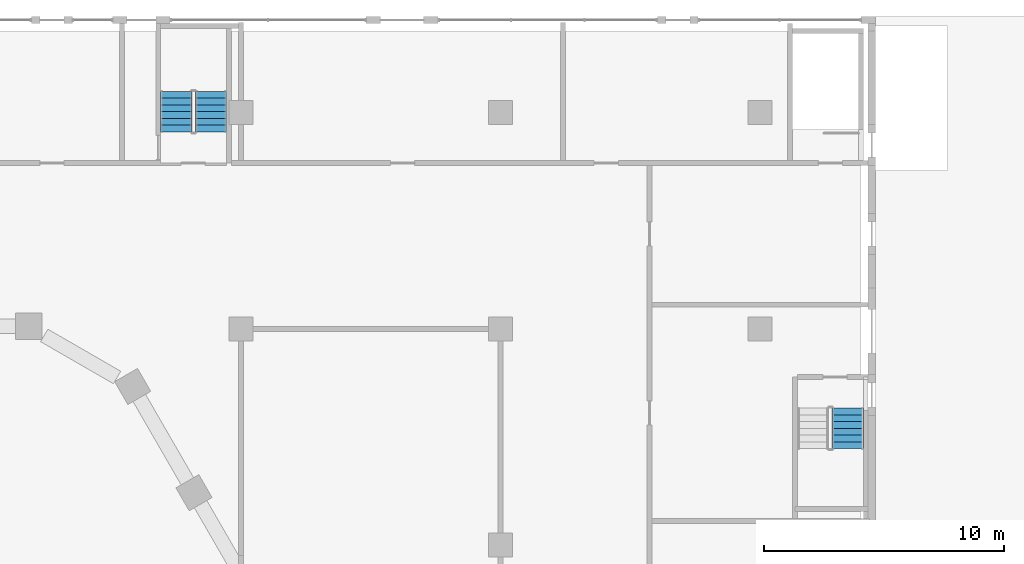
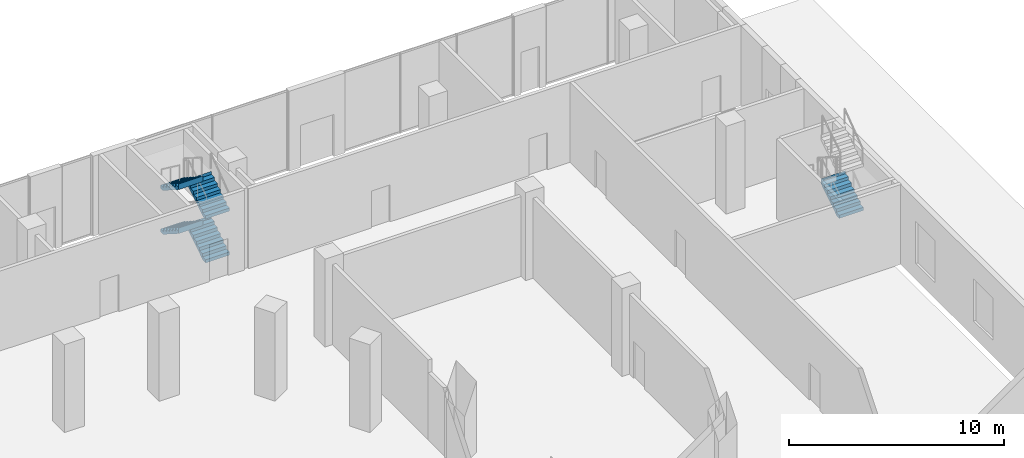
# One storey, part 46 of 57: 5 stair flights, 2 elements without a shape of their own.
"""IFC4 building model written with IfcOpenShell, lengths in metres."""

from ifc_helpers import new_model, si_unit, direction, frame, origin, place, context, subcontext, project, spatial, triangles, material, type_object, element, aggregate, save


model = new_model("IFC4")

# Units and contexts
model_context = context("Model", 3, precision=1e-05, world=origin(), true_north=direction((0.0, 1.0)))
body_context = subcontext(model_context, "Body", "Model", "MODEL_VIEW")
ifc_project = project(units=[si_unit("LENGTHUNIT", "METRE"), si_unit("AREAUNIT", "SQUARE_METRE"), si_unit("VOLUMEUNIT", "CUBIC_METRE"), si_unit("PLANEANGLEUNIT", "RADIAN"), si_unit("MASSUNIT", "GRAM", prefix="KILO")], contexts=[model_context])

# Site, building, storey
site_placement = place(None, origin())
site = spatial("IfcSite", under=ifc_project, at=site_placement, CompositionType="ELEMENT")
building_placement = place(site_placement, origin())
building = spatial("IfcBuilding", under=site, at=building_placement, Name="Beryl Residences", CompositionType="ELEMENT")
storey_placement = place(building_placement, origin())
storey = spatial("IfcBuildingStorey", under=building, at=storey_placement, Name="L00", CompositionType="ELEMENT", Elevation=0.0)

# Stair, stair flights
ifc_material_1 = material(Name="Concrete C40/50", Category="concrete")
stair_type = type_object("IfcStairType", Name="ST1 protected exit stair, half-turn, 1300 mm flights", PredefinedType="HALF_TURN_STAIR", material=ifc_material_1)
stair_1_placement = place(storey_placement, origin())
stair_1 = element("IfcStair", 1, at=stair_1_placement, inside=storey, type_object=stair_type, Name="L00 Podium exit stair 2", PredefinedType="HALF_TURN_STAIR")
ifc_material_2 = material(Name="Concrete C40/50", Category="concrete")
stair_flight_type = type_object("IfcStairFlightType", Name="SF1 stair flight 1300 mm", PredefinedType="STRAIGHT", material=ifc_material_2)
stair_flight_1_placement = place(storey_placement, frame((20.35009765625, 35.199951171875, 0.0), z_axis=(0.0, 0.0, 1.0), x_axis=(0.0, 1.0, 0.0)))
stair_flight_1 = element("IfcStairFlight", 2, at=stair_flight_1_placement, type_object=stair_flight_type, Name="PS-2 flight 1", NumberOfRisers=7, NumberOfTreads=6, PredefinedType="STRAIGHT", RiserHeight=0.178571429, TreadLength=0.28, context=body_context, shape_type="Tessellation", body=[
    triangles([(0.0, -0.64990234375, 0.0), (0.0, -0.324951171875, 0.0), (0.0, 0.0, 0.0), (0.0, 0.324951171875, 0.0), (0.0, 0.64990234375, 0.0), (0.0, -0.64990234375, 0.178466796875), (0.0, -0.324951171875, 0.178466796875), (0.0, 0.0, 0.178466796875), (0.0, 0.324951171875, 0.178466796875), (0.0, 0.64990234375, 0.178466796875), (0.280029296875, -0.64990234375, 0.178466796875), (0.280029296875, -0.324951171875, 0.178466796875), (0.280029296875, 0.0, 0.178466796875), (0.280029296875, 0.324951171875, 0.178466796875), (0.280029296875, 0.64990234375, 0.178466796875), (0.280029296875, -0.64990234375, 0.357177734375), (0.280029296875, -0.324951171875, 0.357177734375), (0.280029296875, 0.0, 0.357177734375), (0.280029296875, 0.324951171875, 0.357177734375), (0.280029296875, 0.64990234375, 0.357177734375), (0.56005859375, -0.64990234375, 0.357177734375), (0.56005859375, -0.324951171875, 0.357177734375), (0.56005859375, 0.0, 0.357177734375), (0.56005859375, 0.324951171875, 0.357177734375), (0.56005859375, 0.64990234375, 0.357177734375), (0.56005859375, -0.64990234375, 0.53564453125), (0.56005859375, -0.324951171875, 0.53564453125), (0.56005859375, 0.0, 0.53564453125), (0.56005859375, 0.324951171875, 0.53564453125), (0.56005859375, 0.64990234375, 0.53564453125), (0.840087890625, -0.64990234375, 0.53564453125), (0.840087890625, -0.324951171875, 0.53564453125), (0.840087890625, 0.0, 0.53564453125), (0.840087890625, 0.324951171875, 0.53564453125), (0.840087890625, 0.64990234375, 0.53564453125), (0.840087890625, -0.64990234375, 0.71435546875), (0.840087890625, -0.324951171875, 0.71435546875), (0.840087890625, 0.0, 0.71435546875), (0.840087890625, 0.324951171875, 0.71435546875), (0.840087890625, 0.64990234375, 0.71435546875), (1.1201171875, -0.64990234375, 0.71435546875), (1.1201171875, -0.324951171875, 0.71435546875), (1.1201171875, 0.0, 0.71435546875), (1.1201171875, 0.324951171875, 0.71435546875), (1.1201171875, 0.64990234375, 0.71435546875), (1.1201171875, -0.64990234375, 0.892822265625), (1.1201171875, -0.324951171875, 0.892822265625), (1.1201171875, 0.0, 0.892822265625), (1.1201171875, 0.324951171875, 0.892822265625), (1.1201171875, 0.64990234375, 0.892822265625), (1.39990234375, -0.64990234375, 0.892822265625), (1.39990234375, -0.324951171875, 0.892822265625), (1.39990234375, 0.0, 0.892822265625), (1.39990234375, 0.324951171875, 0.892822265625), (1.39990234375, 0.64990234375, 0.892822265625), (1.39990234375, -0.64990234375, 1.071533203125), (1.39990234375, -0.324951171875, 1.071533203125), (1.39990234375, 0.0, 1.071533203125), (1.39990234375, 0.324951171875, 1.071533203125), (1.39990234375, 0.64990234375, 1.071533203125), (1.679931640625, -0.64990234375, 1.071533203125), (1.679931640625, -0.324951171875, 1.071533203125), (1.679931640625, 0.0, 1.071533203125), (1.679931640625, 0.324951171875, 1.071533203125), (1.679931640625, 0.64990234375, 1.071533203125), (1.679931640625, -0.64990234375, 1.25), (1.679931640625, -0.324951171875, 1.25), (1.679931640625, 0.0, 1.25), (1.679931640625, 0.324951171875, 1.25), (1.679931640625, 0.64990234375, 1.25), (1.680908203125, -0.64990234375, 1.25), (1.680908203125, -0.324951171875, 1.25), (1.680908203125, 0.0, 1.25), (1.680908203125, 0.324951171875, 1.25), (1.680908203125, 0.64990234375, 1.25), (1.680908203125, -0.64990234375, 0.928955078125), (1.680908203125, -0.324951171875, 0.928955078125), (1.680908203125, 0.0, 0.928955078125), (1.680908203125, 0.324951171875, 0.928955078125), (1.680908203125, 0.64990234375, 0.928955078125), (0.224365234375, -0.64990234375, 0.0), (0.224365234375, -0.324951171875, 0.0), (0.224365234375, 0.0, 0.0), (0.224365234375, 0.324951171875, 0.0), (0.224365234375, 0.64990234375, 0.0)], [[1, 6, 7], [1, 7, 2], [2, 7, 8], [2, 8, 3], [3, 8, 9], [3, 9, 4], [4, 9, 10], [4, 10, 5], [6, 11, 12], [6, 12, 7], [7, 12, 13], [7, 13, 8], [8, 13, 14], [8, 14, 9], [9, 14, 15], [9, 15, 10], [11, 16, 17], [11, 17, 12], [12, 17, 18], [12, 18, 13], [13, 18, 19], [13, 19, 14], [14, 19, 20], [14, 20, 15], [16, 21, 22], [16, 22, 17], [17, 22, 23], [17, 23, 18], [18, 23, 24], [18, 24, 19], [19, 24, 25], [19, 25, 20], [21, 26, 27], [21, 27, 22], [22, 27, 28], [22, 28, 23], [23, 28, 29], [23, 29, 24], [24, 29, 30], [24, 30, 25], [26, 31, 32], [26, 32, 27], [27, 32, 33], [27, 33, 28], [28, 33, 34], [28, 34, 29], [29, 34, 35], [29, 35, 30], [31, 36, 37], [31, 37, 32], [32, 37, 38], [32, 38, 33], [33, 38, 39], [33, 39, 34], [34, 39, 40], [34, 40, 35], [36, 41, 42], [36, 42, 37], [37, 42, 43], [37, 43, 38], [38, 43, 44], [38, 44, 39], [39, 44, 45], [39, 45, 40], [41, 46, 47], [41, 47, 42], [42, 47, 48], [42, 48, 43], [43, 48, 49], [43, 49, 44], [44, 49, 50], [44, 50, 45], [46, 51, 52], [46, 52, 47], [47, 52, 53], [47, 53, 48], [48, 53, 54], [48, 54, 49], [49, 54, 55], [49, 55, 50], [51, 56, 57], [51, 57, 52], [52, 57, 58], [52, 58, 53], [53, 58, 59], [53, 59, 54], [54, 59, 60], [54, 60, 55], [56, 61, 62], [56, 62, 57], [57, 62, 63], [57, 63, 58], [58, 63, 64], [58, 64, 59], [59, 64, 65], [59, 65, 60], [61, 66, 67], [61, 67, 62], [62, 67, 68], [62, 68, 63], [63, 68, 69], [63, 69, 64], [64, 69, 70], [64, 70, 65], [66, 71, 72], [66, 72, 67], [67, 72, 73], [67, 73, 68], [68, 73, 74], [68, 74, 69], [69, 74, 75], [69, 75, 70], [71, 76, 77], [71, 77, 72], [72, 77, 78], [72, 78, 73], [73, 78, 79], [73, 79, 74], [74, 79, 80], [74, 80, 75], [76, 81, 82], [76, 82, 77], [77, 82, 83], [77, 83, 78], [78, 83, 84], [78, 84, 79], [79, 84, 85], [79, 85, 80], [81, 1, 2], [81, 2, 82], [82, 2, 3], [82, 3, 83], [83, 3, 4], [83, 4, 84], [84, 4, 5], [84, 5, 85], [1, 81, 76], [5, 80, 85], [76, 71, 66], [80, 70, 75], [76, 66, 61], [80, 65, 70], [76, 61, 56], [80, 60, 65], [76, 56, 51], [80, 55, 60], [51, 46, 41], [55, 45, 50], [76, 51, 41], [80, 45, 55], [41, 36, 31], [45, 35, 40], [76, 41, 31], [80, 35, 45], [31, 26, 21], [35, 25, 30], [76, 31, 21], [80, 25, 35], [21, 16, 11], [25, 15, 20], [76, 21, 11], [80, 15, 25], [1, 76, 11], [5, 15, 80], [11, 6, 1], [15, 5, 10]], closed=True),
])
stair_flight_2_placement = place(storey_placement, frame((18.89990234375, 36.8798828125, 1.25), z_axis=(0.0, 0.0, 1.0), x_axis=(0.0, -1.0, 0.0)))
stair_flight_2 = element("IfcStairFlight", 3, at=stair_flight_2_placement, type_object=stair_flight_type, Name="PS-2 flight 2", NumberOfRisers=7, NumberOfTreads=6, PredefinedType="STRAIGHT", RiserHeight=0.178571429, TreadLength=0.28, context=body_context, shape_type="Tessellation", body=[
    triangles([(0.0, -0.64990234375, 0.0), (0.0, -0.324951171875, 0.0), (0.0, 0.0, 0.0), (0.0, 0.324951171875, 0.0), (0.0, 0.64990234375, 0.0), (0.0, -0.64990234375, 0.178466796875), (0.0, -0.324951171875, 0.178466796875), (0.0, 0.0, 0.178466796875), (0.0, 0.324951171875, 0.178466796875), (0.0, 0.64990234375, 0.178466796875), (0.280029296875, -0.64990234375, 0.178466796875), (0.280029296875, -0.324951171875, 0.178466796875), (0.280029296875, 0.0, 0.178466796875), (0.280029296875, 0.324951171875, 0.178466796875), (0.280029296875, 0.64990234375, 0.178466796875), (0.280029296875, -0.64990234375, 0.357177734375), (0.280029296875, -0.324951171875, 0.357177734375), (0.280029296875, 0.0, 0.357177734375), (0.280029296875, 0.324951171875, 0.357177734375), (0.280029296875, 0.64990234375, 0.357177734375), (0.56005859375, -0.64990234375, 0.357177734375), (0.56005859375, -0.324951171875, 0.357177734375), (0.56005859375, 0.0, 0.357177734375), (0.56005859375, 0.324951171875, 0.357177734375), (0.56005859375, 0.64990234375, 0.357177734375), (0.56005859375, -0.64990234375, 0.53564453125), (0.56005859375, -0.324951171875, 0.53564453125), (0.56005859375, 0.0, 0.53564453125), (0.56005859375, 0.324951171875, 0.53564453125), (0.56005859375, 0.64990234375, 0.53564453125), (0.840087890625, -0.64990234375, 0.53564453125), (0.840087890625, -0.324951171875, 0.53564453125), (0.840087890625, 0.0, 0.53564453125), (0.840087890625, 0.324951171875, 0.53564453125), (0.840087890625, 0.64990234375, 0.53564453125), (0.840087890625, -0.64990234375, 0.71435546875), (0.840087890625, -0.324951171875, 0.71435546875), (0.840087890625, 0.0, 0.71435546875), (0.840087890625, 0.324951171875, 0.71435546875), (0.840087890625, 0.64990234375, 0.71435546875), (1.1201171875, -0.64990234375, 0.71435546875), (1.1201171875, -0.324951171875, 0.71435546875), (1.1201171875, 0.0, 0.71435546875), (1.1201171875, 0.324951171875, 0.71435546875), (1.1201171875, 0.64990234375, 0.71435546875), (1.1201171875, -0.64990234375, 0.892822265625), (1.1201171875, -0.324951171875, 0.892822265625), (1.1201171875, 0.0, 0.892822265625), (1.1201171875, 0.324951171875, 0.892822265625), (1.1201171875, 0.64990234375, 0.892822265625), (1.39990234375, -0.64990234375, 0.892822265625), (1.39990234375, -0.324951171875, 0.892822265625), (1.39990234375, 0.0, 0.892822265625), (1.39990234375, 0.324951171875, 0.892822265625), (1.39990234375, 0.64990234375, 0.892822265625), (1.39990234375, -0.64990234375, 1.071533203125), (1.39990234375, -0.324951171875, 1.071533203125), (1.39990234375, 0.0, 1.071533203125), (1.39990234375, 0.324951171875, 1.071533203125), (1.39990234375, 0.64990234375, 1.071533203125), (1.679931640625, -0.64990234375, 1.071533203125), (1.679931640625, -0.324951171875, 1.071533203125), (1.679931640625, 0.0, 1.071533203125), (1.679931640625, 0.324951171875, 1.071533203125), (1.679931640625, 0.64990234375, 1.071533203125), (1.679931640625, -0.64990234375, 1.25), (1.679931640625, -0.324951171875, 1.25), (1.679931640625, 0.0, 1.25), (1.679931640625, 0.324951171875, 1.25), (1.679931640625, 0.64990234375, 1.25), (1.680908203125, -0.64990234375, 1.25), (1.680908203125, -0.324951171875, 1.25), (1.680908203125, 0.0, 1.25), (1.680908203125, 0.324951171875, 1.25), (1.680908203125, 0.64990234375, 1.25), (1.680908203125, -0.64990234375, 0.928955078125), (1.680908203125, -0.324951171875, 0.928955078125), (1.680908203125, 0.0, 0.928955078125), (1.680908203125, 0.324951171875, 0.928955078125), (1.680908203125, 0.64990234375, 0.928955078125), (0.224365234375, -0.64990234375, 0.0), (0.224365234375, -0.324951171875, 0.0), (0.224365234375, 0.0, 0.0), (0.224365234375, 0.324951171875, 0.0), (0.224365234375, 0.64990234375, 0.0)], [[1, 6, 7], [1, 7, 2], [2, 7, 8], [2, 8, 3], [3, 8, 9], [3, 9, 4], [4, 9, 10], [4, 10, 5], [6, 11, 12], [6, 12, 7], [7, 12, 13], [7, 13, 8], [8, 13, 14], [8, 14, 9], [9, 14, 15], [9, 15, 10], [11, 16, 17], [11, 17, 12], [12, 17, 18], [12, 18, 13], [13, 18, 19], [13, 19, 14], [14, 19, 20], [14, 20, 15], [16, 21, 22], [16, 22, 17], [17, 22, 23], [17, 23, 18], [18, 23, 24], [18, 24, 19], [19, 24, 25], [19, 25, 20], [21, 26, 27], [21, 27, 22], [22, 27, 28], [22, 28, 23], [23, 28, 29], [23, 29, 24], [24, 29, 30], [24, 30, 25], [26, 31, 32], [26, 32, 27], [27, 32, 33], [27, 33, 28], [28, 33, 34], [28, 34, 29], [29, 34, 35], [29, 35, 30], [31, 36, 37], [31, 37, 32], [32, 37, 38], [32, 38, 33], [33, 38, 39], [33, 39, 34], [34, 39, 40], [34, 40, 35], [36, 41, 42], [36, 42, 37], [37, 42, 43], [37, 43, 38], [38, 43, 44], [38, 44, 39], [39, 44, 45], [39, 45, 40], [41, 46, 47], [41, 47, 42], [42, 47, 48], [42, 48, 43], [43, 48, 49], [43, 49, 44], [44, 49, 50], [44, 50, 45], [46, 51, 52], [46, 52, 47], [47, 52, 53], [47, 53, 48], [48, 53, 54], [48, 54, 49], [49, 54, 55], [49, 55, 50], [51, 56, 57], [51, 57, 52], [52, 57, 58], [52, 58, 53], [53, 58, 59], [53, 59, 54], [54, 59, 60], [54, 60, 55], [56, 61, 62], [56, 62, 57], [57, 62, 63], [57, 63, 58], [58, 63, 64], [58, 64, 59], [59, 64, 65], [59, 65, 60], [61, 66, 67], [61, 67, 62], [62, 67, 68], [62, 68, 63], [63, 68, 69], [63, 69, 64], [64, 69, 70], [64, 70, 65], [66, 71, 72], [66, 72, 67], [67, 72, 73], [67, 73, 68], [68, 73, 74], [68, 74, 69], [69, 74, 75], [69, 75, 70], [71, 76, 77], [71, 77, 72], [72, 77, 78], [72, 78, 73], [73, 78, 79], [73, 79, 74], [74, 79, 80], [74, 80, 75], [76, 81, 82], [76, 82, 77], [77, 82, 83], [77, 83, 78], [78, 83, 84], [78, 84, 79], [79, 84, 85], [79, 85, 80], [81, 1, 2], [81, 2, 82], [82, 2, 3], [82, 3, 83], [83, 3, 4], [83, 4, 84], [84, 4, 5], [84, 5, 85], [1, 81, 76], [5, 80, 85], [76, 71, 66], [80, 70, 75], [76, 66, 61], [80, 65, 70], [76, 61, 56], [80, 60, 65], [76, 56, 51], [80, 55, 60], [51, 46, 41], [55, 45, 50], [76, 51, 41], [80, 45, 55], [41, 36, 31], [45, 35, 40], [76, 41, 31], [80, 35, 45], [31, 26, 21], [35, 25, 30], [76, 31, 21], [80, 25, 35], [21, 16, 11], [25, 15, 20], [76, 21, 11], [80, 15, 25], [1, 76, 11], [5, 15, 80], [11, 6, 1], [15, 5, 10]], closed=True),
])
stair_flight_3_placement = place(storey_placement, frame((20.35009765625, 35.199951171875, 2.5), z_axis=(0.0, 0.0, 1.0), x_axis=(0.0, 1.0, 0.0)))
stair_flight_3 = element("IfcStairFlight", 4, at=stair_flight_3_placement, type_object=stair_flight_type, Name="PS-2 flight 3", NumberOfRisers=7, NumberOfTreads=6, PredefinedType="STRAIGHT", RiserHeight=0.178571429, TreadLength=0.28, context=body_context, shape_type="Tessellation", body=[
    triangles([(0.0, -0.64990234375, 0.0), (0.0, -0.324951171875, 0.0), (0.0, 0.0, 0.0), (0.0, 0.324951171875, 0.0), (0.0, 0.64990234375, 0.0), (0.0, -0.64990234375, 0.178466796875), (0.0, -0.324951171875, 0.178466796875), (0.0, 0.0, 0.178466796875), (0.0, 0.324951171875, 0.178466796875), (0.0, 0.64990234375, 0.178466796875), (0.280029296875, -0.64990234375, 0.178466796875), (0.280029296875, -0.324951171875, 0.178466796875), (0.280029296875, 0.0, 0.178466796875), (0.280029296875, 0.324951171875, 0.178466796875), (0.280029296875, 0.64990234375, 0.178466796875), (0.280029296875, -0.64990234375, 0.357177734375), (0.280029296875, -0.324951171875, 0.357177734375), (0.280029296875, 0.0, 0.357177734375), (0.280029296875, 0.324951171875, 0.357177734375), (0.280029296875, 0.64990234375, 0.357177734375), (0.56005859375, -0.64990234375, 0.357177734375), (0.56005859375, -0.324951171875, 0.357177734375), (0.56005859375, 0.0, 0.357177734375), (0.56005859375, 0.324951171875, 0.357177734375), (0.56005859375, 0.64990234375, 0.357177734375), (0.56005859375, -0.64990234375, 0.53564453125), (0.56005859375, -0.324951171875, 0.53564453125), (0.56005859375, 0.0, 0.53564453125), (0.56005859375, 0.324951171875, 0.53564453125), (0.56005859375, 0.64990234375, 0.53564453125), (0.840087890625, -0.64990234375, 0.53564453125), (0.840087890625, -0.324951171875, 0.53564453125), (0.840087890625, 0.0, 0.53564453125), (0.840087890625, 0.324951171875, 0.53564453125), (0.840087890625, 0.64990234375, 0.53564453125), (0.840087890625, -0.64990234375, 0.71435546875), (0.840087890625, -0.324951171875, 0.71435546875), (0.840087890625, 0.0, 0.71435546875), (0.840087890625, 0.324951171875, 0.71435546875), (0.840087890625, 0.64990234375, 0.71435546875), (1.1201171875, -0.64990234375, 0.71435546875), (1.1201171875, -0.324951171875, 0.71435546875), (1.1201171875, 0.0, 0.71435546875), (1.1201171875, 0.324951171875, 0.71435546875), (1.1201171875, 0.64990234375, 0.71435546875), (1.1201171875, -0.64990234375, 0.892822265625), (1.1201171875, -0.324951171875, 0.892822265625), (1.1201171875, 0.0, 0.892822265625), (1.1201171875, 0.324951171875, 0.892822265625), (1.1201171875, 0.64990234375, 0.892822265625), (1.39990234375, -0.64990234375, 0.892822265625), (1.39990234375, -0.324951171875, 0.892822265625), (1.39990234375, 0.0, 0.892822265625), (1.39990234375, 0.324951171875, 0.892822265625), (1.39990234375, 0.64990234375, 0.892822265625), (1.39990234375, -0.64990234375, 1.071533203125), (1.39990234375, -0.324951171875, 1.071533203125), (1.39990234375, 0.0, 1.071533203125), (1.39990234375, 0.324951171875, 1.071533203125), (1.39990234375, 0.64990234375, 1.071533203125), (1.679931640625, -0.64990234375, 1.071533203125), (1.679931640625, -0.324951171875, 1.071533203125), (1.679931640625, 0.0, 1.071533203125), (1.679931640625, 0.324951171875, 1.071533203125), (1.679931640625, 0.64990234375, 1.071533203125), (1.679931640625, -0.64990234375, 1.25), (1.679931640625, -0.324951171875, 1.25), (1.679931640625, 0.0, 1.25), (1.679931640625, 0.324951171875, 1.25), (1.679931640625, 0.64990234375, 1.25), (1.680908203125, -0.64990234375, 1.25), (1.680908203125, -0.324951171875, 1.25), (1.680908203125, 0.0, 1.25), (1.680908203125, 0.324951171875, 1.25), (1.680908203125, 0.64990234375, 1.25), (1.680908203125, -0.64990234375, 0.928955078125), (1.680908203125, -0.324951171875, 0.928955078125), (1.680908203125, 0.0, 0.928955078125), (1.680908203125, 0.324951171875, 0.928955078125), (1.680908203125, 0.64990234375, 0.928955078125), (0.224365234375, -0.64990234375, 0.0), (0.224365234375, -0.324951171875, 0.0), (0.224365234375, 0.0, 0.0), (0.224365234375, 0.324951171875, 0.0), (0.224365234375, 0.64990234375, 0.0)], [[1, 6, 7], [1, 7, 2], [2, 7, 8], [2, 8, 3], [3, 8, 9], [3, 9, 4], [4, 9, 10], [4, 10, 5], [6, 11, 12], [6, 12, 7], [7, 12, 13], [7, 13, 8], [8, 13, 14], [8, 14, 9], [9, 14, 15], [9, 15, 10], [11, 16, 17], [11, 17, 12], [12, 17, 18], [12, 18, 13], [13, 18, 19], [13, 19, 14], [14, 19, 20], [14, 20, 15], [16, 21, 22], [16, 22, 17], [17, 22, 23], [17, 23, 18], [18, 23, 24], [18, 24, 19], [19, 24, 25], [19, 25, 20], [21, 26, 27], [21, 27, 22], [22, 27, 28], [22, 28, 23], [23, 28, 29], [23, 29, 24], [24, 29, 30], [24, 30, 25], [26, 31, 32], [26, 32, 27], [27, 32, 33], [27, 33, 28], [28, 33, 34], [28, 34, 29], [29, 34, 35], [29, 35, 30], [31, 36, 37], [31, 37, 32], [32, 37, 38], [32, 38, 33], [33, 38, 39], [33, 39, 34], [34, 39, 40], [34, 40, 35], [36, 41, 42], [36, 42, 37], [37, 42, 43], [37, 43, 38], [38, 43, 44], [38, 44, 39], [39, 44, 45], [39, 45, 40], [41, 46, 47], [41, 47, 42], [42, 47, 48], [42, 48, 43], [43, 48, 49], [43, 49, 44], [44, 49, 50], [44, 50, 45], [46, 51, 52], [46, 52, 47], [47, 52, 53], [47, 53, 48], [48, 53, 54], [48, 54, 49], [49, 54, 55], [49, 55, 50], [51, 56, 57], [51, 57, 52], [52, 57, 58], [52, 58, 53], [53, 58, 59], [53, 59, 54], [54, 59, 60], [54, 60, 55], [56, 61, 62], [56, 62, 57], [57, 62, 63], [57, 63, 58], [58, 63, 64], [58, 64, 59], [59, 64, 65], [59, 65, 60], [61, 66, 67], [61, 67, 62], [62, 67, 68], [62, 68, 63], [63, 68, 69], [63, 69, 64], [64, 69, 70], [64, 70, 65], [66, 71, 72], [66, 72, 67], [67, 72, 73], [67, 73, 68], [68, 73, 74], [68, 74, 69], [69, 74, 75], [69, 75, 70], [71, 76, 77], [71, 77, 72], [72, 77, 78], [72, 78, 73], [73, 78, 79], [73, 79, 74], [74, 79, 80], [74, 80, 75], [76, 81, 82], [76, 82, 77], [77, 82, 83], [77, 83, 78], [78, 83, 84], [78, 84, 79], [79, 84, 85], [79, 85, 80], [81, 1, 2], [81, 2, 82], [82, 2, 3], [82, 3, 83], [83, 3, 4], [83, 4, 84], [84, 4, 5], [84, 5, 85], [1, 81, 76], [5, 80, 85], [76, 71, 66], [80, 70, 75], [76, 66, 61], [80, 65, 70], [76, 61, 56], [80, 60, 65], [76, 56, 51], [80, 55, 60], [51, 46, 41], [55, 45, 50], [76, 51, 41], [80, 45, 55], [41, 36, 31], [45, 35, 40], [76, 41, 31], [80, 35, 45], [31, 26, 21], [35, 25, 30], [76, 31, 21], [80, 25, 35], [21, 16, 11], [25, 15, 20], [76, 21, 11], [80, 15, 25], [1, 76, 11], [5, 15, 80], [11, 6, 1], [15, 5, 10]], closed=True),
])
stair_flight_4_placement = place(storey_placement, frame((18.89990234375, 36.8798828125, 3.75), z_axis=(0.0, 0.0, 1.0), x_axis=(0.0, -1.0, 0.0)))
stair_flight_4 = element("IfcStairFlight", 5, at=stair_flight_4_placement, type_object=stair_flight_type, Name="PS-2 flight 4", NumberOfRisers=7, NumberOfTreads=6, PredefinedType="STRAIGHT", RiserHeight=0.178571429, TreadLength=0.28, context=body_context, shape_type="Tessellation", body=[
    triangles([(0.0, -0.64990234375, 0.0), (0.0, -0.324951171875, 0.0), (0.0, 0.0, 0.0), (0.0, 0.324951171875, 0.0), (0.0, 0.64990234375, 0.0), (0.0, -0.64990234375, 0.178466796875), (0.0, -0.324951171875, 0.178466796875), (0.0, 0.0, 0.178466796875), (0.0, 0.324951171875, 0.178466796875), (0.0, 0.64990234375, 0.178466796875), (0.280029296875, -0.64990234375, 0.178466796875), (0.280029296875, -0.324951171875, 0.178466796875), (0.280029296875, 0.0, 0.178466796875), (0.280029296875, 0.324951171875, 0.178466796875), (0.280029296875, 0.64990234375, 0.178466796875), (0.280029296875, -0.64990234375, 0.357177734375), (0.280029296875, -0.324951171875, 0.357177734375), (0.280029296875, 0.0, 0.357177734375), (0.280029296875, 0.324951171875, 0.357177734375), (0.280029296875, 0.64990234375, 0.357177734375), (0.56005859375, -0.64990234375, 0.357177734375), (0.56005859375, -0.324951171875, 0.357177734375), (0.56005859375, 0.0, 0.357177734375), (0.56005859375, 0.324951171875, 0.357177734375), (0.56005859375, 0.64990234375, 0.357177734375), (0.56005859375, -0.64990234375, 0.53564453125), (0.56005859375, -0.324951171875, 0.53564453125), (0.56005859375, 0.0, 0.53564453125), (0.56005859375, 0.324951171875, 0.53564453125), (0.56005859375, 0.64990234375, 0.53564453125), (0.840087890625, -0.64990234375, 0.53564453125), (0.840087890625, -0.324951171875, 0.53564453125), (0.840087890625, 0.0, 0.53564453125), (0.840087890625, 0.324951171875, 0.53564453125), (0.840087890625, 0.64990234375, 0.53564453125), (0.840087890625, -0.64990234375, 0.71435546875), (0.840087890625, -0.324951171875, 0.71435546875), (0.840087890625, 0.0, 0.71435546875), (0.840087890625, 0.324951171875, 0.71435546875), (0.840087890625, 0.64990234375, 0.71435546875), (1.1201171875, -0.64990234375, 0.71435546875), (1.1201171875, -0.324951171875, 0.71435546875), (1.1201171875, 0.0, 0.71435546875), (1.1201171875, 0.324951171875, 0.71435546875), (1.1201171875, 0.64990234375, 0.71435546875), (1.1201171875, -0.64990234375, 0.892822265625), (1.1201171875, -0.324951171875, 0.892822265625), (1.1201171875, 0.0, 0.892822265625), (1.1201171875, 0.324951171875, 0.892822265625), (1.1201171875, 0.64990234375, 0.892822265625), (1.39990234375, -0.64990234375, 0.892822265625), (1.39990234375, -0.324951171875, 0.892822265625), (1.39990234375, 0.0, 0.892822265625), (1.39990234375, 0.324951171875, 0.892822265625), (1.39990234375, 0.64990234375, 0.892822265625), (1.39990234375, -0.64990234375, 1.071533203125), (1.39990234375, -0.324951171875, 1.071533203125), (1.39990234375, 0.0, 1.071533203125), (1.39990234375, 0.324951171875, 1.071533203125), (1.39990234375, 0.64990234375, 1.071533203125), (1.679931640625, -0.64990234375, 1.071533203125), (1.679931640625, -0.324951171875, 1.071533203125), (1.679931640625, 0.0, 1.071533203125), (1.679931640625, 0.324951171875, 1.071533203125), (1.679931640625, 0.64990234375, 1.071533203125), (1.679931640625, -0.64990234375, 1.25), (1.679931640625, -0.324951171875, 1.25), (1.679931640625, 0.0, 1.25), (1.679931640625, 0.324951171875, 1.25), (1.679931640625, 0.64990234375, 1.25), (1.680908203125, -0.64990234375, 1.25), (1.680908203125, -0.324951171875, 1.25), (1.680908203125, 0.0, 1.25), (1.680908203125, 0.324951171875, 1.25), (1.680908203125, 0.64990234375, 1.25), (1.680908203125, -0.64990234375, 0.928955078125), (1.680908203125, -0.324951171875, 0.928955078125), (1.680908203125, 0.0, 0.928955078125), (1.680908203125, 0.324951171875, 0.928955078125), (1.680908203125, 0.64990234375, 0.928955078125), (0.224365234375, -0.64990234375, 0.0), (0.224365234375, -0.324951171875, 0.0), (0.224365234375, 0.0, 0.0), (0.224365234375, 0.324951171875, 0.0), (0.224365234375, 0.64990234375, 0.0)], [[1, 6, 7], [1, 7, 2], [2, 7, 8], [2, 8, 3], [3, 8, 9], [3, 9, 4], [4, 9, 10], [4, 10, 5], [6, 11, 12], [6, 12, 7], [7, 12, 13], [7, 13, 8], [8, 13, 14], [8, 14, 9], [9, 14, 15], [9, 15, 10], [11, 16, 17], [11, 17, 12], [12, 17, 18], [12, 18, 13], [13, 18, 19], [13, 19, 14], [14, 19, 20], [14, 20, 15], [16, 21, 22], [16, 22, 17], [17, 22, 23], [17, 23, 18], [18, 23, 24], [18, 24, 19], [19, 24, 25], [19, 25, 20], [21, 26, 27], [21, 27, 22], [22, 27, 28], [22, 28, 23], [23, 28, 29], [23, 29, 24], [24, 29, 30], [24, 30, 25], [26, 31, 32], [26, 32, 27], [27, 32, 33], [27, 33, 28], [28, 33, 34], [28, 34, 29], [29, 34, 35], [29, 35, 30], [31, 36, 37], [31, 37, 32], [32, 37, 38], [32, 38, 33], [33, 38, 39], [33, 39, 34], [34, 39, 40], [34, 40, 35], [36, 41, 42], [36, 42, 37], [37, 42, 43], [37, 43, 38], [38, 43, 44], [38, 44, 39], [39, 44, 45], [39, 45, 40], [41, 46, 47], [41, 47, 42], [42, 47, 48], [42, 48, 43], [43, 48, 49], [43, 49, 44], [44, 49, 50], [44, 50, 45], [46, 51, 52], [46, 52, 47], [47, 52, 53], [47, 53, 48], [48, 53, 54], [48, 54, 49], [49, 54, 55], [49, 55, 50], [51, 56, 57], [51, 57, 52], [52, 57, 58], [52, 58, 53], [53, 58, 59], [53, 59, 54], [54, 59, 60], [54, 60, 55], [56, 61, 62], [56, 62, 57], [57, 62, 63], [57, 63, 58], [58, 63, 64], [58, 64, 59], [59, 64, 65], [59, 65, 60], [61, 66, 67], [61, 67, 62], [62, 67, 68], [62, 68, 63], [63, 68, 69], [63, 69, 64], [64, 69, 70], [64, 70, 65], [66, 71, 72], [66, 72, 67], [67, 72, 73], [67, 73, 68], [68, 73, 74], [68, 74, 69], [69, 74, 75], [69, 75, 70], [71, 76, 77], [71, 77, 72], [72, 77, 78], [72, 78, 73], [73, 78, 79], [73, 79, 74], [74, 79, 80], [74, 80, 75], [76, 81, 82], [76, 82, 77], [77, 82, 83], [77, 83, 78], [78, 83, 84], [78, 84, 79], [79, 84, 85], [79, 85, 80], [81, 1, 2], [81, 2, 82], [82, 2, 3], [82, 3, 83], [83, 3, 4], [83, 4, 84], [84, 4, 5], [84, 5, 85], [1, 81, 76], [5, 80, 85], [76, 71, 66], [80, 70, 75], [76, 66, 61], [80, 65, 70], [76, 61, 56], [80, 60, 65], [76, 56, 51], [80, 55, 60], [51, 46, 41], [55, 45, 50], [76, 51, 41], [80, 45, 55], [41, 36, 31], [45, 35, 40], [76, 41, 31], [80, 35, 45], [31, 26, 21], [35, 25, 30], [76, 31, 21], [80, 25, 35], [21, 16, 11], [25, 15, 20], [76, 21, 11], [80, 15, 25], [1, 76, 11], [5, 15, 80], [11, 6, 1], [15, 5, 10]], closed=True),
])
aggregate(stair_1, [stair_flight_1, stair_flight_2, stair_flight_3, stair_flight_4])

# Stair, stair flight
stair_2_placement = place(storey_placement, origin())
stair_2 = element("IfcStair", 6, at=stair_2_placement, inside=storey, type_object=stair_type, Name="L00 Podium exit stair 5", PredefinedType="HALF_TURN_STAIR")
stair_flight_5_placement = place(storey_placement, frame((46.85009765625, 22.02001953125, 1.25), z_axis=(0.0, 0.0, 1.0), x_axis=(0.0, 1.0, 0.0)))
stair_flight_5 = element("IfcStairFlight", 7, at=stair_flight_5_placement, type_object=stair_flight_type, Name="PS-5 flight 2", NumberOfRisers=7, NumberOfTreads=6, PredefinedType="STRAIGHT", RiserHeight=0.178571429, TreadLength=0.28, context=body_context, shape_type="Tessellation", body=[
    triangles([(0.0, -0.64990234375, 0.0), (0.0, -0.324951171875, 0.0), (0.0, 0.0, 0.0), (0.0, 0.324951171875, 0.0), (0.0, 0.64990234375, 0.0), (0.0, -0.64990234375, 0.178466796875), (0.0, -0.324951171875, 0.178466796875), (0.0, 0.0, 0.178466796875), (0.0, 0.324951171875, 0.178466796875), (0.0, 0.64990234375, 0.178466796875), (0.280029296875, -0.64990234375, 0.178466796875), (0.280029296875, -0.324951171875, 0.178466796875), (0.280029296875, 0.0, 0.178466796875), (0.280029296875, 0.324951171875, 0.178466796875), (0.280029296875, 0.64990234375, 0.178466796875), (0.280029296875, -0.64990234375, 0.357177734375), (0.280029296875, -0.324951171875, 0.357177734375), (0.280029296875, 0.0, 0.357177734375), (0.280029296875, 0.324951171875, 0.357177734375), (0.280029296875, 0.64990234375, 0.357177734375), (0.56005859375, -0.64990234375, 0.357177734375), (0.56005859375, -0.324951171875, 0.357177734375), (0.56005859375, 0.0, 0.357177734375), (0.56005859375, 0.324951171875, 0.357177734375), (0.56005859375, 0.64990234375, 0.357177734375), (0.56005859375, -0.64990234375, 0.53564453125), (0.56005859375, -0.324951171875, 0.53564453125), (0.56005859375, 0.0, 0.53564453125), (0.56005859375, 0.324951171875, 0.53564453125), (0.56005859375, 0.64990234375, 0.53564453125), (0.840087890625, -0.64990234375, 0.53564453125), (0.840087890625, -0.324951171875, 0.53564453125), (0.840087890625, 0.0, 0.53564453125), (0.840087890625, 0.324951171875, 0.53564453125), (0.840087890625, 0.64990234375, 0.53564453125), (0.840087890625, -0.64990234375, 0.71435546875), (0.840087890625, -0.324951171875, 0.71435546875), (0.840087890625, 0.0, 0.71435546875), (0.840087890625, 0.324951171875, 0.71435546875), (0.840087890625, 0.64990234375, 0.71435546875), (1.1201171875, -0.64990234375, 0.71435546875), (1.1201171875, -0.324951171875, 0.71435546875), (1.1201171875, 0.0, 0.71435546875), (1.1201171875, 0.324951171875, 0.71435546875), (1.1201171875, 0.64990234375, 0.71435546875), (1.1201171875, -0.64990234375, 0.892822265625), (1.1201171875, -0.324951171875, 0.892822265625), (1.1201171875, 0.0, 0.892822265625), (1.1201171875, 0.324951171875, 0.892822265625), (1.1201171875, 0.64990234375, 0.892822265625), (1.39990234375, -0.64990234375, 0.892822265625), (1.39990234375, -0.324951171875, 0.892822265625), (1.39990234375, 0.0, 0.892822265625), (1.39990234375, 0.324951171875, 0.892822265625), (1.39990234375, 0.64990234375, 0.892822265625), (1.39990234375, -0.64990234375, 1.071533203125), (1.39990234375, -0.324951171875, 1.071533203125), (1.39990234375, 0.0, 1.071533203125), (1.39990234375, 0.324951171875, 1.071533203125), (1.39990234375, 0.64990234375, 1.071533203125), (1.679931640625, -0.64990234375, 1.071533203125), (1.679931640625, -0.324951171875, 1.071533203125), (1.679931640625, 0.0, 1.071533203125), (1.679931640625, 0.324951171875, 1.071533203125), (1.679931640625, 0.64990234375, 1.071533203125), (1.679931640625, -0.64990234375, 1.25), (1.679931640625, -0.324951171875, 1.25), (1.679931640625, 0.0, 1.25), (1.679931640625, 0.324951171875, 1.25), (1.679931640625, 0.64990234375, 1.25), (1.680908203125, -0.64990234375, 1.25), (1.680908203125, -0.324951171875, 1.25), (1.680908203125, 0.0, 1.25), (1.680908203125, 0.324951171875, 1.25), (1.680908203125, 0.64990234375, 1.25), (1.680908203125, -0.64990234375, 0.928955078125), (1.680908203125, -0.324951171875, 0.928955078125), (1.680908203125, 0.0, 0.928955078125), (1.680908203125, 0.324951171875, 0.928955078125), (1.680908203125, 0.64990234375, 0.928955078125), (0.224365234375, -0.64990234375, 0.0), (0.224365234375, -0.324951171875, 0.0), (0.224365234375, 0.0, 0.0), (0.224365234375, 0.324951171875, 0.0), (0.224365234375, 0.64990234375, 0.0)], [[1, 6, 7], [1, 7, 2], [2, 7, 8], [2, 8, 3], [3, 8, 9], [3, 9, 4], [4, 9, 10], [4, 10, 5], [6, 11, 12], [6, 12, 7], [7, 12, 13], [7, 13, 8], [8, 13, 14], [8, 14, 9], [9, 14, 15], [9, 15, 10], [11, 16, 17], [11, 17, 12], [12, 17, 18], [12, 18, 13], [13, 18, 19], [13, 19, 14], [14, 19, 20], [14, 20, 15], [16, 21, 22], [16, 22, 17], [17, 22, 23], [17, 23, 18], [18, 23, 24], [18, 24, 19], [19, 24, 25], [19, 25, 20], [21, 26, 27], [21, 27, 22], [22, 27, 28], [22, 28, 23], [23, 28, 29], [23, 29, 24], [24, 29, 30], [24, 30, 25], [26, 31, 32], [26, 32, 27], [27, 32, 33], [27, 33, 28], [28, 33, 34], [28, 34, 29], [29, 34, 35], [29, 35, 30], [31, 36, 37], [31, 37, 32], [32, 37, 38], [32, 38, 33], [33, 38, 39], [33, 39, 34], [34, 39, 40], [34, 40, 35], [36, 41, 42], [36, 42, 37], [37, 42, 43], [37, 43, 38], [38, 43, 44], [38, 44, 39], [39, 44, 45], [39, 45, 40], [41, 46, 47], [41, 47, 42], [42, 47, 48], [42, 48, 43], [43, 48, 49], [43, 49, 44], [44, 49, 50], [44, 50, 45], [46, 51, 52], [46, 52, 47], [47, 52, 53], [47, 53, 48], [48, 53, 54], [48, 54, 49], [49, 54, 55], [49, 55, 50], [51, 56, 57], [51, 57, 52], [52, 57, 58], [52, 58, 53], [53, 58, 59], [53, 59, 54], [54, 59, 60], [54, 60, 55], [56, 61, 62], [56, 62, 57], [57, 62, 63], [57, 63, 58], [58, 63, 64], [58, 64, 59], [59, 64, 65], [59, 65, 60], [61, 66, 67], [61, 67, 62], [62, 67, 68], [62, 68, 63], [63, 68, 69], [63, 69, 64], [64, 69, 70], [64, 70, 65], [66, 71, 72], [66, 72, 67], [67, 72, 73], [67, 73, 68], [68, 73, 74], [68, 74, 69], [69, 74, 75], [69, 75, 70], [71, 76, 77], [71, 77, 72], [72, 77, 78], [72, 78, 73], [73, 78, 79], [73, 79, 74], [74, 79, 80], [74, 80, 75], [76, 81, 82], [76, 82, 77], [77, 82, 83], [77, 83, 78], [78, 83, 84], [78, 84, 79], [79, 84, 85], [79, 85, 80], [81, 1, 2], [81, 2, 82], [82, 2, 3], [82, 3, 83], [83, 3, 4], [83, 4, 84], [84, 4, 5], [84, 5, 85], [1, 81, 76], [5, 80, 85], [76, 71, 66], [80, 70, 75], [76, 66, 61], [80, 65, 70], [76, 61, 56], [80, 60, 65], [76, 56, 51], [80, 55, 60], [51, 46, 41], [55, 45, 50], [76, 51, 41], [80, 45, 55], [41, 36, 31], [45, 35, 40], [76, 41, 31], [80, 35, 45], [31, 26, 21], [35, 25, 30], [76, 31, 21], [80, 25, 35], [21, 16, 11], [25, 15, 20], [76, 21, 11], [80, 15, 25], [1, 76, 11], [5, 15, 80], [11, 6, 1], [15, 5, 10]], closed=True),
])
aggregate(stair_2, [stair_flight_5])

save(model, "model.ifc")
